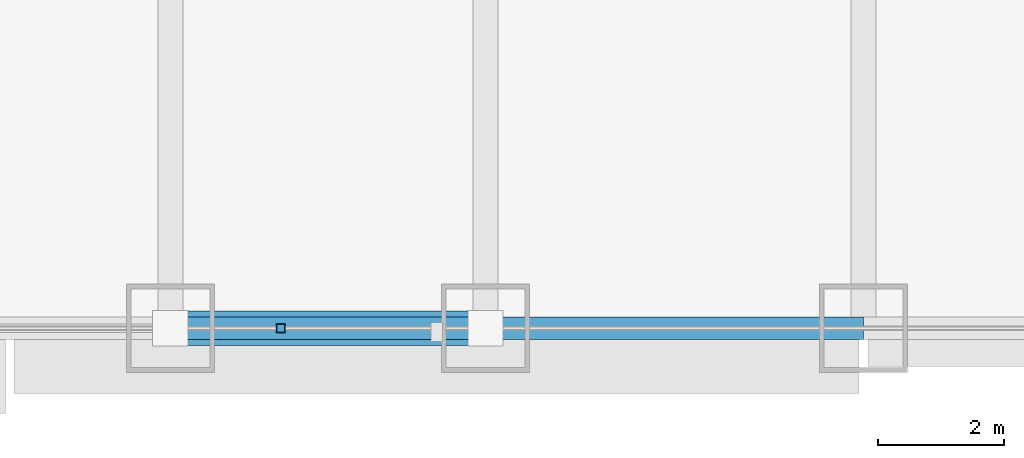
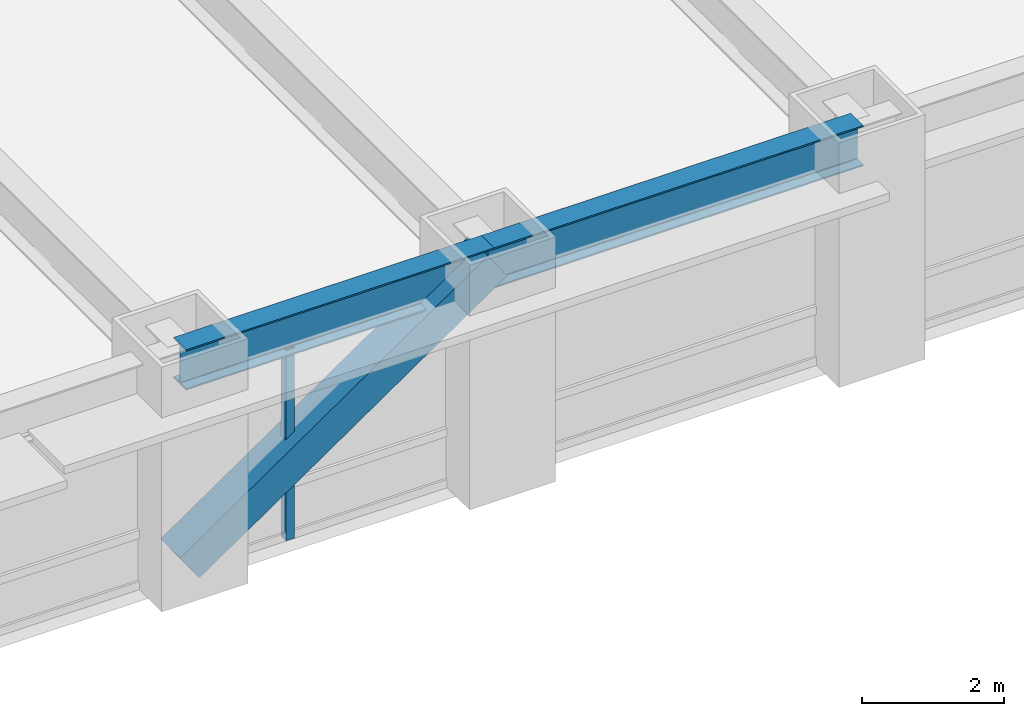
# One storey, part 4 of 31: 2 beams, 2 members, 1 element without a shape of its own.
"""IFC4 building model written with IfcOpenShell, lengths in metres."""

from ifc_helpers import new_model, si_unit, direction, frame, origin, origin_2d, place, context, subcontext, project, spatial, hollow_rectangle, i_section, extrude, source, transform, mapped, material, material_profile, profile_set, type_object, element, aggregate, save


model = new_model("IFC4")

# Units and contexts
model_context = context("Model", 3, precision=1e-05, world=origin(), true_north=direction((0.0, 1.0)))
body_context = subcontext(model_context, "Body", "Model", "MODEL_VIEW")
ifc_project = project(units=[si_unit("LENGTHUNIT", "METRE"), si_unit("AREAUNIT", "SQUARE_METRE"), si_unit("VOLUMEUNIT", "CUBIC_METRE"), si_unit("PLANEANGLEUNIT", "RADIAN"), si_unit("MASSUNIT", "GRAM", prefix="KILO")], contexts=[model_context])

# Site, building, storey
site_placement = place(None, origin())
site = spatial("IfcSite", under=ifc_project, at=site_placement, CompositionType="ELEMENT")
building_placement = place(site_placement, origin())
building = spatial("IfcBuilding", under=site, at=building_placement, Name="Khorayat Bourse Tower", CompositionType="ELEMENT")
storey_placement = place(building_placement, frame((0.0, 0.0, 32.60009765625)))
storey = spatial("IfcBuildingStorey", under=building, at=storey_placement, Name="L06", CompositionType="ELEMENT", Elevation=32.60009765625)

# Beams
ifc_material_1 = material(Name="Steel ASTM A992 Grade 50", Category="steel")
ifc_material_profile_1 = material_profile(ifc_material_1, i_section(OverallWidth=0.35498046875, OverallDepth=0.695068359375, WebThickness=0.015380859375, FlangeThickness=0.02490234375, FilletRadius=0.01806640625, at=origin_2d()), Name="W690X217")
ifc_profile_set_1 = profile_set([ifc_material_profile_1], Name="Steel ASTM A992 Grade 50")
beam_type = type_object("IfcBeamType", Name="BM-SPAN-690", PredefinedType="SPANDREL", material=ifc_profile_set_1)
shared_shape_1 = source(origin(), body_context, "Body", "SweptSolid", [
    extrude(i_section(OverallWidth=0.35498046875, OverallDepth=0.695068359375, WebThickness=0.015380859375, FlangeThickness=0.02490234375, FilletRadius=0.01806640625, at=origin_2d()), origin(), (0.0, 0.0, 1.0), 5.0),
])
beam_1_placement = place(storey_placement, frame((-11.0, -32.0, 3.59228515625), z_axis=(1.0, 0.0, 0.0), x_axis=(0.0, 1.0, 0.0)))
element("IfcBeam", 1, at=beam_1_placement, inside=storey, type_object=beam_type, Name="L06 BM-SPAN-690 BM-L06-SPN-026", PredefinedType="SPANDREL", context=body_context, shape_type="MappedRepresentation", body=[
    mapped(shared_shape_1, transform((0.0, 0.0, 0.0), scale=1.0)),
])
shared_shape_2 = source(origin(), body_context, "Body", "SweptSolid", [
    extrude(i_section(OverallWidth=0.35498046875, OverallDepth=0.695068359375, WebThickness=0.015380859375, FlangeThickness=0.02490234375, FilletRadius=0.01806640625, at=origin_2d()), origin(), (0.0, 0.0, 1.0), 6.0),
])
beam_2_placement = place(storey_placement, frame((-6.0, -32.0, 3.59228515625), z_axis=(1.0, 0.0, 0.0), x_axis=(0.0, 1.0, 0.0)))
element("IfcBeam", 2, at=beam_2_placement, inside=storey, type_object=beam_type, Name="L06 BM-SPAN-690 BM-L06-SPN-027", PredefinedType="SPANDREL", context=body_context, shape_type="MappedRepresentation", body=[
    mapped(shared_shape_2, transform((0.0, 0.0, 0.0), scale=1.0)),
])

# Member
ifc_material_2 = material(Name="Steel EN 10025-4 S460M", Category="steel")
ifc_material_profile_2 = material_profile(ifc_material_2, hollow_rectangle(XDim=0.550048828125, YDim=0.550048828125, WallThickness=0.031982421875, at=origin_2d()), Name="HSS 550x550x32")
ifc_profile_set_2 = profile_set([ifc_material_profile_2], Name="Steel EN 10025-4 S460M")
member_type_1 = type_object("IfcMemberType", Name="MBR-TUBE-550", PredefinedType="BRACE", material=ifc_profile_set_2)
shared_shape_3 = source(origin(), body_context, "Body", "SweptSolid", [
    extrude(hollow_rectangle(XDim=0.550048828125, YDim=0.550048828125, WallThickness=0.031982421875, at=origin_2d()), origin(), (0.0, 0.0, 1.0), 6.069091796875),
])
member_1_placement = place(storey_placement, frame((-11.0, -32.0, 0.25), z_axis=(0.823854080622, 0.0, 0.566801952928), x_axis=(0.0, 1.0, 0.0)))
element("IfcMember", 3, at=member_1_placement, inside=storey, type_object=member_type_1, Name="L06 Perimeter Tube Brace 01", PredefinedType="BRACE", context=body_context, shape_type="MappedRepresentation", body=[
    mapped(shared_shape_3, transform((0.0, 0.0, 0.0), scale=1.0)),
])

# Curtain wall, member
ifc_material_3 = material(Name="Aluminium EN AW-6063 T6", Category="aluminium")
curtain_wall_type = type_object("IfcCurtainWallType", Name="CW-SYS-02", PredefinedType="NOTDEFINED", material=ifc_material_3)
curtain_wall_placement = place(storey_placement, origin())
curtain_wall = element("IfcCurtainWall", 4, at=curtain_wall_placement, inside=storey, type_object=curtain_wall_type, Name="L06 Curtain Wall CW-L06-S1", PredefinedType="NOTDEFINED")
ifc_material_profile_3 = material_profile(ifc_material_3, hollow_rectangle(XDim=0.139892578125, YDim=0.139892578125, WallThickness=0.006103515625, at=origin_2d()), Name="ALU 140x140x6")
ifc_profile_set_3 = profile_set([ifc_material_profile_3], Name="Aluminium EN AW-6063 T6")
member_type_2 = type_object("IfcMemberType", Name="CWM-VERT-140", PredefinedType="MULLION", material=ifc_profile_set_3)
shared_shape_4 = source(origin(), body_context, "Body", "SweptSolid", [
    extrude(hollow_rectangle(XDim=0.139892578125, YDim=0.139892578125, WallThickness=0.006103515625, at=origin_2d()), origin(), (0.0, 0.0, 1.0), 3.289794921875),
])
member_2_placement = place(storey_placement, frame((-9.25, -32.0, 0.0), z_axis=(0.0, 0.0, 1.0), x_axis=(0.0, 1.0, 0.0)))
member_2 = element("IfcMember", 5, at=member_2_placement, type_object=member_type_2, Name="CW-L06-S1 Vertical Mullion 2", PredefinedType="MULLION", context=body_context, shape_type="MappedRepresentation", body=[
    mapped(shared_shape_4, transform((0.0, 0.0, 0.0), scale=1.0)),
])
aggregate(curtain_wall, [member_2])

save(model, "model.ifc")
